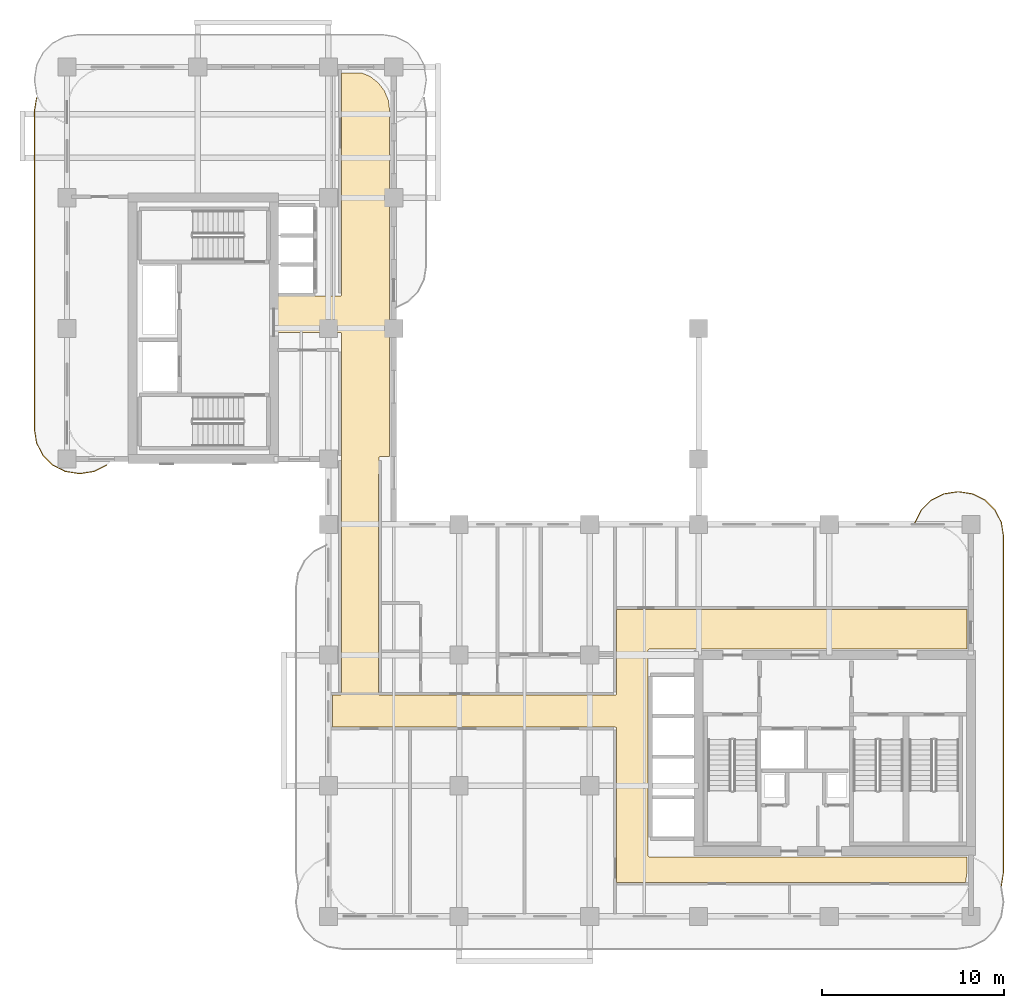
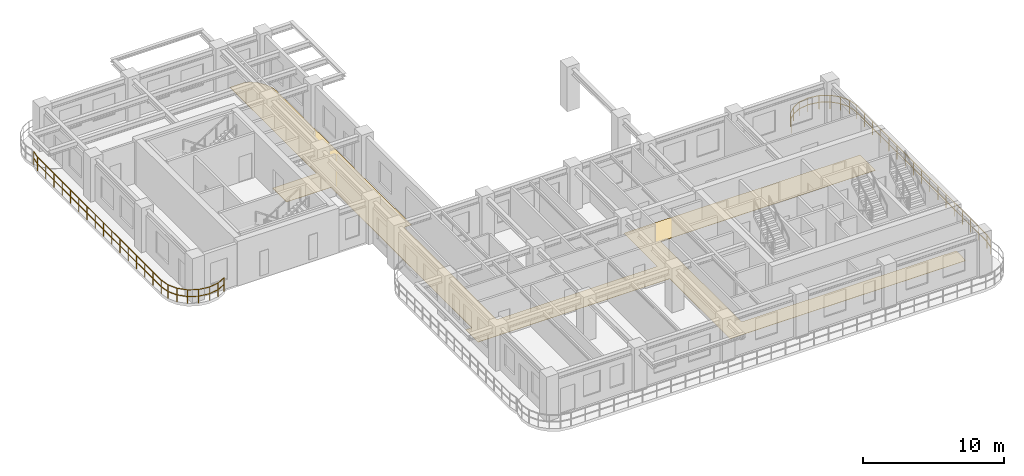
# One storey, part 12 of 13: 2 railings, 1 covering.
"""IFC4 building model written with IfcOpenShell, lengths in metres."""

from ifc_helpers import new_model, si_unit, derived_unit, direction, frame, origin, origin_2d, place, context, subcontext, project, spatial, polyline, rectangle, outline, extrude, material, layer, layer_set, type_object, element, save


model = new_model("IFC4")

# Units and contexts
model_context = context("Model", 3, precision=1e-05, world=origin(), true_north=direction((0.0, 1.0)))
body_context = subcontext(model_context, "Body", "Model", "MODEL_VIEW")
ifc_project = project(units=[si_unit("LENGTHUNIT", "METRE"), si_unit("AREAUNIT", "SQUARE_METRE"), si_unit("VOLUMEUNIT", "CUBIC_METRE"), si_unit("PLANEANGLEUNIT", "RADIAN"), si_unit("MASSUNIT", "GRAM", prefix="KILO"), si_unit("THERMODYNAMICTEMPERATUREUNIT", "KELVIN"), si_unit("POWERUNIT", "WATT"), derived_unit("THERMALTRANSMITTANCEUNIT", [(si_unit("POWERUNIT", "WATT"), 1), (si_unit("AREAUNIT", "SQUARE_METRE"), -1), (si_unit("THERMODYNAMICTEMPERATUREUNIT", "KELVIN"), -1)])], contexts=[model_context])

# Site, building, storey
site_placement = place(None, origin())
site = spatial("IfcSite", under=ifc_project, at=site_placement, CompositionType="ELEMENT")
building_placement = place(site_placement, origin())
building = spatial("IfcBuilding", under=site, at=building_placement, Name="Zahravan Archway Hotel and Residences", CompositionType="ELEMENT")
storey_placement = place(building_placement, frame((0.0, 0.0, 181.10009765625)))
storey = spatial("IfcBuildingStorey", under=building, at=storey_placement, Name="L45", CompositionType="ELEMENT", Elevation=181.10009765625)

# Covering
ifc_material_1 = material(Name="Engineered Walnut Parquet Flooring")
ifc_layer = layer(ifc_material_1, 0.02197265625, Name="Engineered Walnut Parquet Flooring")
ifc_layer_set = layer_set([ifc_layer], Name="Engineered Walnut Parquet Flooring")
covering_type = type_object("IfcCoveringType", Name="COV-FLR-TIMB", PredefinedType="FLOORING", material=ifc_layer_set)
covering_placement = place(storey_placement, origin())
element("IfcCovering", 1, at=covering_placement, inside=storey, type_object=covering_type, Name="L45 Circulation Floor Finish", PredefinedType="FLOORING", context=body_context, shape_type="SweptSolid", body=[
    extrude(outline(polyline([(32.09228515625, 14.7294921875), (32.04931640625, 14.7119140625), (32.0234375, 14.673095703125), (32.02001953125, 3.35009765625), (32.033447265625, 3.3056640625), (32.0693359375, 3.276123046875), (49.580078125, 3.27001953125), (49.580078125, 2.414306640625), (49.509521484375, 1.8798828125), (30.280029296875, 1.8798828125), (30.280029296875, 10.35009765625), (30.2666015625, 10.394287109375), (30.230712890625, 10.423828125), (14.6201171875, 10.429931640625), (14.6201171875, 12.18994140625), (15.050048828125, 12.18994140625), (15.094482421875, 12.20361328125), (15.123779296875, 12.239501953125), (15.1298828125, 32.10009765625), (15.116455078125, 32.144287109375), (15.08056640625, 32.173828125), (11.530029296875, 32.179931640625), (11.530029296875, 34.169921875), (15.050048828125, 34.169921875), (15.094482421875, 34.18359375), (15.123779296875, 34.219482421875), (15.1298828125, 46.469970703125), (16.24560546875, 46.469970703125), (16.689208984375, 46.286376953125), (17.14013671875, 45.940185546875), (17.486328125, 45.489013671875), (17.703857421875, 44.9638671875), (17.77001953125, 44.46142578125), (17.77001953125, 25.330078125), (17.25, 25.330078125), (17.20556640625, 25.31640625), (17.176025390625, 25.280517578125), (17.169921875, 12.27001953125), (17.18359375, 12.2255859375), (17.219482421875, 12.196044921875), (30.199951171875, 12.18994140625), (30.244384765625, 12.20361328125), (30.27392578125, 12.239501953125), (30.280029296875, 16.919921875), (49.580078125, 16.919921875), (49.580078125, 14.72998046875), (32.10009765625, 14.72998046875), (32.09228515625, 14.7294921875)])), origin(), (0.0, 0.0, 1.0), 0.02197265625),
])

# Railings
ifc_material_2 = material(Name="Bronze & Laminated Glass Balustrade", Category="glass")
railing_type = type_object("IfcRailingType", Name="RL-BAL-1200", PredefinedType="BALUSTRADE", material=ifc_material_2)
railing_1_placement = place(storey_placement, frame((46.719970703125, 21.70703125, 0.0)))
element("IfcRailing", 2, at=railing_1_placement, inside=storey, type_object=railing_type, Name="L45 Balustrade RL-SLB-BAL-L45-EA-1", PredefinedType="BALUSTRADE", context=body_context, shape_type="SweptSolid", body=[
    extrude(rectangle(XDim=0.048095703125, YDim=0.048095703125, at=origin_2d()), frame((0.0, 0.0, 1.17578125), z_axis=(0.453825591531, 0.891090529897, 0.0), x_axis=(-0.891090529897, 0.453825591531, 0.0)), (0.0, 0.0, 1.0), 0.7666015625),
    extrude(rectangle(XDim=0.048095703125, YDim=0.048095703125, at=origin_2d()), frame((0.0, 0.0, 0.60009765625), z_axis=(0.453825591531, 0.891090529897, 0.0), x_axis=(-0.891090529897, 0.453825591531, 0.0)), (0.0, 0.0, 1.0), 0.7666015625),
    extrude(rectangle(XDim=0.048095703125, YDim=0.048095703125, at=origin_2d()), frame((0.347900390625, 0.68310546875, 1.17578125), z_axis=(0.707106781187, 0.707106781187, 0.0), x_axis=(-0.707106781187, 0.707106781187, 0.0)), (0.0, 0.0, 1.0), 0.7666015625),
    extrude(rectangle(XDim=0.048095703125, YDim=0.048095703125, at=origin_2d()), frame((0.347900390625, 0.68310546875, 0.60009765625), z_axis=(0.707106781187, 0.707106781187, 0.0), x_axis=(-0.707106781187, 0.707106781187, 0.0)), (0.0, 0.0, 1.0), 0.7666015625),
    extrude(rectangle(XDim=0.048095703125, YDim=0.048095703125, at=origin_2d()), frame((0.889892578125, 1.22509765625, 1.17578125), z_axis=(0.891090529897, 0.453825591531, 0.0), x_axis=(-0.453825591531, 0.891090529897, 0.0)), (0.0, 0.0, 1.0), 0.7666015625),
    extrude(rectangle(XDim=0.048095703125, YDim=0.048095703125, at=origin_2d()), frame((0.889892578125, 1.22509765625, 0.60009765625), z_axis=(0.891090529897, 0.453825591531, 0.0), x_axis=(-0.453825591531, 0.891090529897, 0.0)), (0.0, 0.0, 1.0), 0.7666015625),
    extrude(rectangle(XDim=0.048095703125, YDim=0.048095703125, at=origin_2d()), frame((1.572998046875, 1.572998046875, 1.17578125), z_axis=(0.987695728695, 0.156387811283, 0.0), x_axis=(-0.156387811283, 0.987695728695, 0.0)), (0.0, 0.0, 1.0), 0.7666015625),
    extrude(rectangle(XDim=0.048095703125, YDim=0.048095703125, at=origin_2d()), frame((1.572998046875, 1.572998046875, 0.60009765625), z_axis=(0.987695728695, 0.156387811283, 0.0), x_axis=(-0.156387811283, 0.987695728695, 0.0)), (0.0, 0.0, 1.0), 0.7666015625),
    extrude(rectangle(XDim=0.048095703125, YDim=0.048095703125, at=origin_2d()), frame((2.330078125, 1.69287109375, 1.17578125), z_axis=(1.0, 0.0, 0.0), x_axis=(0.0, 1.0, 0.0)), (0.0, 0.0, 1.0), 0.099853515625),
    extrude(rectangle(XDim=0.048095703125, YDim=0.048095703125, at=origin_2d()), frame((2.330078125, 1.69287109375, 0.60009765625), z_axis=(1.0, 0.0, 0.0), x_axis=(0.0, 1.0, 0.0)), (0.0, 0.0, 1.0), 0.099853515625),
    extrude(rectangle(XDim=0.048095703125, YDim=0.048095703125, at=origin_2d()), frame((2.429931640625, 1.69287109375, 1.17578125), z_axis=(0.987695728695, -0.156387811283, 0.0), x_axis=(0.156387811283, 0.987695728695, 0.0)), (0.0, 0.0, 1.0), 0.7666015625),
    extrude(rectangle(XDim=0.048095703125, YDim=0.048095703125, at=origin_2d()), frame((2.429931640625, 1.69287109375, 0.60009765625), z_axis=(0.987695728695, -0.156387811283, 0.0), x_axis=(0.156387811283, 0.987695728695, 0.0)), (0.0, 0.0, 1.0), 0.7666015625),
    extrude(rectangle(XDim=0.048095703125, YDim=0.048095703125, at=origin_2d()), frame((3.18701171875, 1.572998046875, 1.17578125), z_axis=(0.891090529897, -0.453825591531, 0.0), x_axis=(0.453825591531, 0.891090529897, 0.0)), (0.0, 0.0, 1.0), 0.7666015625),
    extrude(rectangle(XDim=0.048095703125, YDim=0.048095703125, at=origin_2d()), frame((3.18701171875, 1.572998046875, 0.60009765625), z_axis=(0.891090529897, -0.453825591531, 0.0), x_axis=(0.453825591531, 0.891090529897, 0.0)), (0.0, 0.0, 1.0), 0.7666015625),
    extrude(rectangle(XDim=0.048095703125, YDim=0.048095703125, at=origin_2d()), frame((3.8701171875, 1.22509765625, 1.17578125), z_axis=(0.707106781187, -0.707106781187, 0.0), x_axis=(0.707106781187, 0.707106781187, 0.0)), (0.0, 0.0, 1.0), 0.7666015625),
    extrude(rectangle(XDim=0.048095703125, YDim=0.048095703125, at=origin_2d()), frame((3.8701171875, 1.22509765625, 0.60009765625), z_axis=(0.707106781187, -0.707106781187, 0.0), x_axis=(0.707106781187, 0.707106781187, 0.0)), (0.0, 0.0, 1.0), 0.7666015625),
    extrude(rectangle(XDim=0.048095703125, YDim=0.048095703125, at=origin_2d()), frame((4.412109375, 0.68310546875, 1.17578125), z_axis=(0.453825591531, -0.891090529897, 0.0), x_axis=(0.891090529897, 0.453825591531, 0.0)), (0.0, 0.0, 1.0), 0.7666015625),
    extrude(rectangle(XDim=0.048095703125, YDim=0.048095703125, at=origin_2d()), frame((4.412109375, 0.68310546875, 0.60009765625), z_axis=(0.453825591531, -0.891090529897, 0.0), x_axis=(0.891090529897, 0.453825591531, 0.0)), (0.0, 0.0, 1.0), 0.7666015625),
    extrude(rectangle(XDim=0.048095703125, YDim=0.048095703125, at=origin_2d()), frame((4.760009765625, 0.0, 1.17578125), z_axis=(0.156698507018, -0.987646484274, 0.0), x_axis=(0.987646484274, 0.156698507018, 0.0)), (0.0, 0.0, 1.0), 0.7666015625),
    extrude(rectangle(XDim=0.048095703125, YDim=0.048095703125, at=origin_2d()), frame((4.760009765625, 0.0, 0.60009765625), z_axis=(0.156698507018, -0.987646484274, 0.0), x_axis=(0.987646484274, 0.156698507018, 0.0)), (0.0, 0.0, 1.0), 0.7666015625),
    extrude(rectangle(XDim=0.048095703125, YDim=0.048095703125, at=origin_2d()), frame((4.880126953125, -0.757080078125, 1.17578125), z_axis=(0.0, -1.0, 0.0), x_axis=(1.0, 0.0, 0.0)), (0.0, 0.0, 1.0), 18.5),
    extrude(rectangle(XDim=0.048095703125, YDim=0.048095703125, at=origin_2d()), frame((4.880126953125, -0.757080078125, 0.60009765625), z_axis=(0.0, -1.0, 0.0), x_axis=(1.0, 0.0, 0.0)), (0.0, 0.0, 1.0), 18.5),
    extrude(rectangle(XDim=0.048095703125, YDim=0.048095703125, at=origin_2d()), frame((4.880126953125, -19.257080078125, 1.17578125), z_axis=(-0.156698507018, -0.987646484274, 0.0), x_axis=(0.987646484274, -0.156698507018, 0.0)), (0.0, 0.0, 1.0), 0.7666015625),
    extrude(rectangle(XDim=0.048095703125, YDim=0.048095703125, at=origin_2d()), frame((4.880126953125, -19.257080078125, 0.60009765625), z_axis=(-0.156698507018, -0.987646484274, 0.0), x_axis=(0.987646484274, -0.156698507018, 0.0)), (0.0, 0.0, 1.0), 0.7666015625),
    extrude(rectangle(XDim=0.0419921875, YDim=0.0419921875, at=origin_2d()), origin(), (0.0, 0.0, 1.0), 1.15185546875),
    extrude(rectangle(XDim=0.0419921875, YDim=0.0419921875, at=origin_2d()), frame((0.347900390625, 0.68310546875, 0.0)), (0.0, 0.0, 1.0), 1.15185546875),
    extrude(rectangle(XDim=0.0419921875, YDim=0.0419921875, at=origin_2d()), frame((0.889892578125, 1.22509765625, 0.0)), (0.0, 0.0, 1.0), 1.15185546875),
    extrude(rectangle(XDim=0.0419921875, YDim=0.0419921875, at=origin_2d()), frame((1.572998046875, 1.572998046875, 0.0)), (0.0, 0.0, 1.0), 1.15185546875),
    extrude(rectangle(XDim=0.0419921875, YDim=0.0419921875, at=origin_2d()), frame((2.330078125, 1.69287109375, 0.0)), (0.0, 0.0, 1.0), 1.15185546875),
    extrude(rectangle(XDim=0.0419921875, YDim=0.0419921875, at=origin_2d()), frame((3.18701171875, 1.572998046875, 0.0)), (0.0, 0.0, 1.0), 1.15185546875),
    extrude(rectangle(XDim=0.0419921875, YDim=0.0419921875, at=origin_2d()), frame((3.8701171875, 1.22509765625, 0.0)), (0.0, 0.0, 1.0), 1.15185546875),
    extrude(rectangle(XDim=0.0419921875, YDim=0.0419921875, at=origin_2d()), frame((4.412109375, 0.68310546875, 0.0)), (0.0, 0.0, 1.0), 1.15185546875),
    extrude(rectangle(XDim=0.0419921875, YDim=0.0419921875, at=origin_2d()), frame((4.760009765625, 0.0, 0.0)), (0.0, 0.0, 1.0), 1.15185546875),
    extrude(rectangle(XDim=0.0419921875, YDim=0.0419921875, at=origin_2d()), frame((4.880126953125, -0.757080078125, 0.0)), (0.0, 0.0, 1.0), 1.15185546875),
    extrude(rectangle(XDim=0.0419921875, YDim=0.0419921875, at=origin_2d()), frame((4.880126953125, -1.913330078125, 0.0)), (0.0, 0.0, 1.0), 1.15185546875),
    extrude(rectangle(XDim=0.0419921875, YDim=0.0419921875, at=origin_2d()), frame((4.880126953125, -3.069580078125, 0.0)), (0.0, 0.0, 1.0), 1.15185546875),
    extrude(rectangle(XDim=0.0419921875, YDim=0.0419921875, at=origin_2d()), frame((4.880126953125, -4.225830078125, 0.0)), (0.0, 0.0, 1.0), 1.15185546875),
    extrude(rectangle(XDim=0.0419921875, YDim=0.0419921875, at=origin_2d()), frame((4.880126953125, -5.382080078125, 0.0)), (0.0, 0.0, 1.0), 1.15185546875),
    extrude(rectangle(XDim=0.0419921875, YDim=0.0419921875, at=origin_2d()), frame((4.880126953125, -6.538330078125, 0.0)), (0.0, 0.0, 1.0), 1.15185546875),
    extrude(rectangle(XDim=0.0419921875, YDim=0.0419921875, at=origin_2d()), frame((4.880126953125, -7.694580078125, 0.0)), (0.0, 0.0, 1.0), 1.15185546875),
    extrude(rectangle(XDim=0.0419921875, YDim=0.0419921875, at=origin_2d()), frame((4.880126953125, -8.850830078125, 0.0)), (0.0, 0.0, 1.0), 1.15185546875),
    extrude(rectangle(XDim=0.0419921875, YDim=0.0419921875, at=origin_2d()), frame((4.880126953125, -10.007080078125, 0.0)), (0.0, 0.0, 1.0), 1.15185546875),
    extrude(rectangle(XDim=0.0419921875, YDim=0.0419921875, at=origin_2d()), frame((4.880126953125, -11.163330078125, 0.0)), (0.0, 0.0, 1.0), 1.15185546875),
    extrude(rectangle(XDim=0.0419921875, YDim=0.0419921875, at=origin_2d()), frame((4.880126953125, -12.319580078125, 0.0)), (0.0, 0.0, 1.0), 1.15185546875),
    extrude(rectangle(XDim=0.0419921875, YDim=0.0419921875, at=origin_2d()), frame((4.880126953125, -13.475830078125, 0.0)), (0.0, 0.0, 1.0), 1.15185546875),
    extrude(rectangle(XDim=0.0419921875, YDim=0.0419921875, at=origin_2d()), frame((4.880126953125, -14.632080078125, 0.0)), (0.0, 0.0, 1.0), 1.15185546875),
    extrude(rectangle(XDim=0.0419921875, YDim=0.0419921875, at=origin_2d()), frame((4.880126953125, -15.788330078125, 0.0)), (0.0, 0.0, 1.0), 1.15185546875),
    extrude(rectangle(XDim=0.0419921875, YDim=0.0419921875, at=origin_2d()), frame((4.880126953125, -16.944580078125, 0.0)), (0.0, 0.0, 1.0), 1.15185546875),
    extrude(rectangle(XDim=0.0419921875, YDim=0.0419921875, at=origin_2d()), frame((4.880126953125, -18.100830078125, 0.0)), (0.0, 0.0, 1.0), 1.15185546875),
    extrude(rectangle(XDim=0.0419921875, YDim=0.0419921875, at=origin_2d()), frame((4.880126953125, -19.257080078125, 0.0)), (0.0, 0.0, 1.0), 1.15185546875),
    extrude(rectangle(XDim=0.0419921875, YDim=0.0419921875, at=origin_2d()), frame((4.760009765625, -20.01416015625, 0.0)), (0.0, 0.0, 1.0), 1.15185546875),
])
railing_2_placement = place(storey_placement, frame((2.190185546875, 24.867919921875, 0.0)))
element("IfcRailing", 3, at=railing_2_placement, inside=storey, type_object=railing_type, Name="L45 Balustrade RL-SLB-BAL-L45-WB-1", PredefinedType="BALUSTRADE", context=body_context, shape_type="SweptSolid", body=[
    extrude(rectangle(XDim=0.048095703125, YDim=0.048095703125, at=origin_2d()), frame((0.0, 0.0, 1.17578125), z_axis=(-0.891090529897, -0.453825591531, 0.0), x_axis=(0.453825591531, -0.891090529897, 0.0)), (0.0, 0.0, 1.0), 0.7666015625),
    extrude(rectangle(XDim=0.048095703125, YDim=0.048095703125, at=origin_2d()), frame((0.0, 0.0, 0.60009765625), z_axis=(-0.891090529897, -0.453825591531, 0.0), x_axis=(0.453825591531, -0.891090529897, 0.0)), (0.0, 0.0, 1.0), 0.7666015625),
    extrude(rectangle(XDim=0.048095703125, YDim=0.048095703125, at=origin_2d()), frame((-0.68310546875, -0.347900390625, 1.17578125), z_axis=(-0.987646484274, -0.156698507018, 0.0), x_axis=(0.156698507018, -0.987646484274, 0.0)), (0.0, 0.0, 1.0), 0.7666015625),
    extrude(rectangle(XDim=0.048095703125, YDim=0.048095703125, at=origin_2d()), frame((-0.68310546875, -0.347900390625, 0.60009765625), z_axis=(-0.987646484274, -0.156698507018, 0.0), x_axis=(0.156698507018, -0.987646484274, 0.0)), (0.0, 0.0, 1.0), 0.7666015625),
    extrude(rectangle(XDim=0.048095703125, YDim=0.048095703125, at=origin_2d()), frame((-1.440185546875, -0.468017578125, 1.17578125), z_axis=(-1.0, 0.0, 0.0), x_axis=(0.0, -1.0, 0.0)), (0.0, 0.0, 1.0), 0.10009765625),
    extrude(rectangle(XDim=0.048095703125, YDim=0.048095703125, at=origin_2d()), frame((-1.440185546875, -0.468017578125, 0.60009765625), z_axis=(-1.0, 0.0, 0.0), x_axis=(0.0, -1.0, 0.0)), (0.0, 0.0, 1.0), 0.10009765625),
    extrude(rectangle(XDim=0.048095703125, YDim=0.048095703125, at=origin_2d()), frame((-1.540283203125, -0.468017578125, 1.17578125), z_axis=(-0.987646484274, 0.156698507018, 0.0), x_axis=(-0.156698507018, -0.987646484274, 0.0)), (0.0, 0.0, 1.0), 0.7666015625),
    extrude(rectangle(XDim=0.048095703125, YDim=0.048095703125, at=origin_2d()), frame((-1.540283203125, -0.468017578125, 0.60009765625), z_axis=(-0.987646484274, 0.156698507018, 0.0), x_axis=(-0.156698507018, -0.987646484274, 0.0)), (0.0, 0.0, 1.0), 0.7666015625),
    extrude(rectangle(XDim=0.048095703125, YDim=0.048095703125, at=origin_2d()), frame((-2.29736328125, -0.347900390625, 1.17578125), z_axis=(-0.891024909783, 0.453954414172, 0.0), x_axis=(-0.453954414172, -0.891024909783, 0.0)), (0.0, 0.0, 1.0), 0.766357421875),
    extrude(rectangle(XDim=0.048095703125, YDim=0.048095703125, at=origin_2d()), frame((-2.29736328125, -0.347900390625, 0.60009765625), z_axis=(-0.891024909783, 0.453954414172, 0.0), x_axis=(-0.453954414172, -0.891024909783, 0.0)), (0.0, 0.0, 1.0), 0.766357421875),
    extrude(rectangle(XDim=0.048095703125, YDim=0.048095703125, at=origin_2d()), frame((-2.980224609375, 0.0, 1.17578125), z_axis=(-0.707106781187, 0.707106781187, 0.0), x_axis=(-0.707106781187, -0.707106781187, 0.0)), (0.0, 0.0, 1.0), 0.7666015625),
    extrude(rectangle(XDim=0.048095703125, YDim=0.048095703125, at=origin_2d()), frame((-2.980224609375, 0.0, 0.60009765625), z_axis=(-0.707106781187, 0.707106781187, 0.0), x_axis=(-0.707106781187, -0.707106781187, 0.0)), (0.0, 0.0, 1.0), 0.7666015625),
    extrude(rectangle(XDim=0.048095703125, YDim=0.048095703125, at=origin_2d()), frame((-3.522216796875, 0.5419921875, 1.17578125), z_axis=(-0.454078418624, 0.890961721815, 0.0), x_axis=(-0.890961721815, -0.454078418624, 0.0)), (0.0, 0.0, 1.0), 0.7666015625),
    extrude(rectangle(XDim=0.048095703125, YDim=0.048095703125, at=origin_2d()), frame((-3.522216796875, 0.5419921875, 0.60009765625), z_axis=(-0.454078418624, 0.890961721815, 0.0), x_axis=(-0.890961721815, -0.454078418624, 0.0)), (0.0, 0.0, 1.0), 0.7666015625),
    extrude(rectangle(XDim=0.048095703125, YDim=0.048095703125, at=origin_2d()), frame((-3.870361328125, 1.22509765625, 1.17578125), z_axis=(-0.156387811283, 0.987695728695, 0.0), x_axis=(-0.987695728695, -0.156387811283, 0.0)), (0.0, 0.0, 1.0), 0.7666015625),
    extrude(rectangle(XDim=0.048095703125, YDim=0.048095703125, at=origin_2d()), frame((-3.870361328125, 1.22509765625, 0.60009765625), z_axis=(-0.156387811283, 0.987695728695, 0.0), x_axis=(-0.987695728695, -0.156387811283, 0.0)), (0.0, 0.0, 1.0), 0.7666015625),
    extrude(rectangle(XDim=0.048095703125, YDim=0.048095703125, at=origin_2d()), frame((-3.990234375, 1.982177734375, 1.17578125), z_axis=(0.0, 1.0, 0.0), x_axis=(-1.0, 0.0, 0.0)), (0.0, 0.0, 1.0), 17.5),
    extrude(rectangle(XDim=0.048095703125, YDim=0.048095703125, at=origin_2d()), frame((-3.990234375, 1.982177734375, 0.60009765625), z_axis=(0.0, 1.0, 0.0), x_axis=(-1.0, 0.0, 0.0)), (0.0, 0.0, 1.0), 17.5),
    extrude(rectangle(XDim=0.048095703125, YDim=0.048095703125, at=origin_2d()), frame((-3.990234375, 19.482177734375, 1.17578125), z_axis=(0.156387811283, 0.987695728695, 0.0), x_axis=(-0.987695728695, 0.156387811283, 0.0)), (0.0, 0.0, 1.0), 0.7666015625),
    extrude(rectangle(XDim=0.048095703125, YDim=0.048095703125, at=origin_2d()), frame((-3.990234375, 19.482177734375, 0.60009765625), z_axis=(0.156387811283, 0.987695728695, 0.0), x_axis=(-0.987695728695, 0.156387811283, 0.0)), (0.0, 0.0, 1.0), 0.7666015625),
    extrude(rectangle(XDim=0.0419921875, YDim=0.0419921875, at=origin_2d()), origin(), (0.0, 0.0, 1.0), 1.15185546875),
    extrude(rectangle(XDim=0.0419921875, YDim=0.0419921875, at=origin_2d()), frame((-0.68310546875, -0.347900390625, 0.0)), (0.0, 0.0, 1.0), 1.15185546875),
    extrude(rectangle(XDim=0.0419921875, YDim=0.0419921875, at=origin_2d()), frame((-1.440185546875, -0.468017578125, 0.0)), (0.0, 0.0, 1.0), 1.15185546875),
    extrude(rectangle(XDim=0.0419921875, YDim=0.0419921875, at=origin_2d()), frame((-2.29736328125, -0.347900390625, 0.0)), (0.0, 0.0, 1.0), 1.15185546875),
    extrude(rectangle(XDim=0.0419921875, YDim=0.0419921875, at=origin_2d()), frame((-2.980224609375, 0.0, 0.0)), (0.0, 0.0, 1.0), 1.15185546875),
    extrude(rectangle(XDim=0.0419921875, YDim=0.0419921875, at=origin_2d()), frame((-3.522216796875, 0.5419921875, 0.0)), (0.0, 0.0, 1.0), 1.15185546875),
    extrude(rectangle(XDim=0.0419921875, YDim=0.0419921875, at=origin_2d()), frame((-3.870361328125, 1.22509765625, 0.0)), (0.0, 0.0, 1.0), 1.15185546875),
    extrude(rectangle(XDim=0.0419921875, YDim=0.0419921875, at=origin_2d()), frame((-3.990234375, 1.982177734375, 0.0)), (0.0, 0.0, 1.0), 1.15185546875),
    extrude(rectangle(XDim=0.0419921875, YDim=0.0419921875, at=origin_2d()), frame((-3.990234375, 3.14892578125, 0.0)), (0.0, 0.0, 1.0), 1.15185546875),
    extrude(rectangle(XDim=0.0419921875, YDim=0.0419921875, at=origin_2d()), frame((-3.990234375, 4.3154296875, 0.0)), (0.0, 0.0, 1.0), 1.15185546875),
    extrude(rectangle(XDim=0.0419921875, YDim=0.0419921875, at=origin_2d()), frame((-3.990234375, 5.482177734375, 0.0)), (0.0, 0.0, 1.0), 1.15185546875),
    extrude(rectangle(XDim=0.0419921875, YDim=0.0419921875, at=origin_2d()), frame((-3.990234375, 6.64892578125, 0.0)), (0.0, 0.0, 1.0), 1.15185546875),
    extrude(rectangle(XDim=0.0419921875, YDim=0.0419921875, at=origin_2d()), frame((-3.990234375, 7.8154296875, 0.0)), (0.0, 0.0, 1.0), 1.15185546875),
    extrude(rectangle(XDim=0.0419921875, YDim=0.0419921875, at=origin_2d()), frame((-3.990234375, 8.982177734375, 0.0)), (0.0, 0.0, 1.0), 1.15185546875),
    extrude(rectangle(XDim=0.0419921875, YDim=0.0419921875, at=origin_2d()), frame((-3.990234375, 10.14892578125, 0.0)), (0.0, 0.0, 1.0), 1.15185546875),
    extrude(rectangle(XDim=0.0419921875, YDim=0.0419921875, at=origin_2d()), frame((-3.990234375, 11.3154296875, 0.0)), (0.0, 0.0, 1.0), 1.15185546875),
    extrude(rectangle(XDim=0.0419921875, YDim=0.0419921875, at=origin_2d()), frame((-3.990234375, 12.482177734375, 0.0)), (0.0, 0.0, 1.0), 1.15185546875),
    extrude(rectangle(XDim=0.0419921875, YDim=0.0419921875, at=origin_2d()), frame((-3.990234375, 13.64892578125, 0.0)), (0.0, 0.0, 1.0), 1.15185546875),
    extrude(rectangle(XDim=0.0419921875, YDim=0.0419921875, at=origin_2d()), frame((-3.990234375, 14.8154296875, 0.0)), (0.0, 0.0, 1.0), 1.15185546875),
    extrude(rectangle(XDim=0.0419921875, YDim=0.0419921875, at=origin_2d()), frame((-3.990234375, 15.982177734375, 0.0)), (0.0, 0.0, 1.0), 1.15185546875),
    extrude(rectangle(XDim=0.0419921875, YDim=0.0419921875, at=origin_2d()), frame((-3.990234375, 17.14892578125, 0.0)), (0.0, 0.0, 1.0), 1.15185546875),
    extrude(rectangle(XDim=0.0419921875, YDim=0.0419921875, at=origin_2d()), frame((-3.990234375, 18.3154296875, 0.0)), (0.0, 0.0, 1.0), 1.15185546875),
    extrude(rectangle(XDim=0.0419921875, YDim=0.0419921875, at=origin_2d()), frame((-3.990234375, 19.482177734375, 0.0)), (0.0, 0.0, 1.0), 1.15185546875),
    extrude(rectangle(XDim=0.0419921875, YDim=0.0419921875, at=origin_2d()), frame((-3.870361328125, 20.2392578125, 0.0)), (0.0, 0.0, 1.0), 1.15185546875),
])

save(model, "model.ifc")
